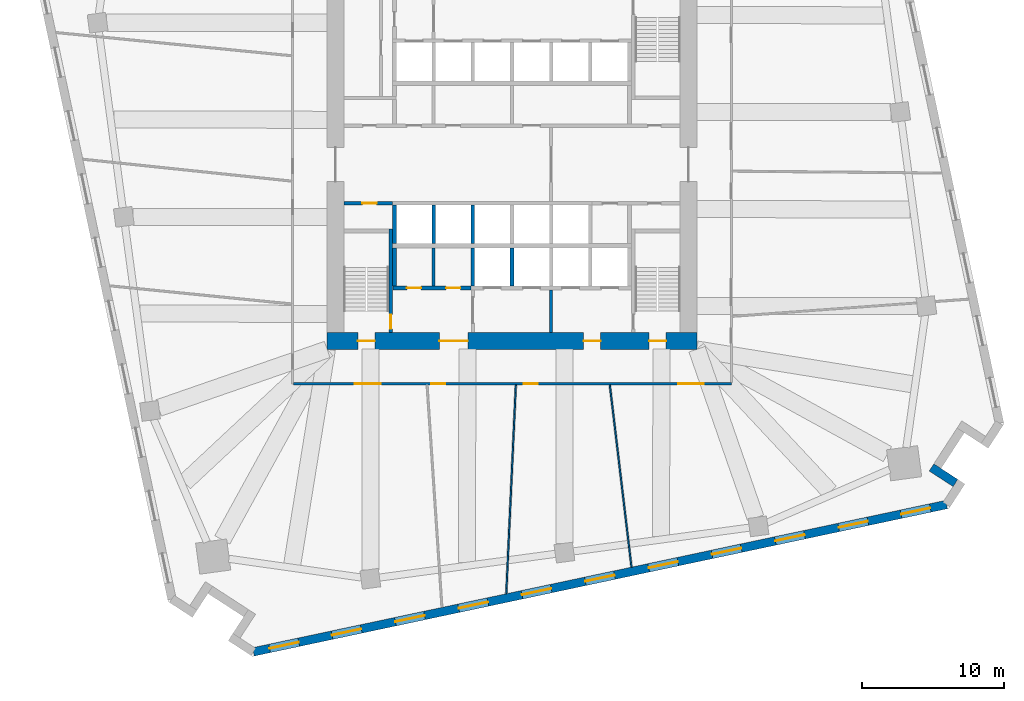
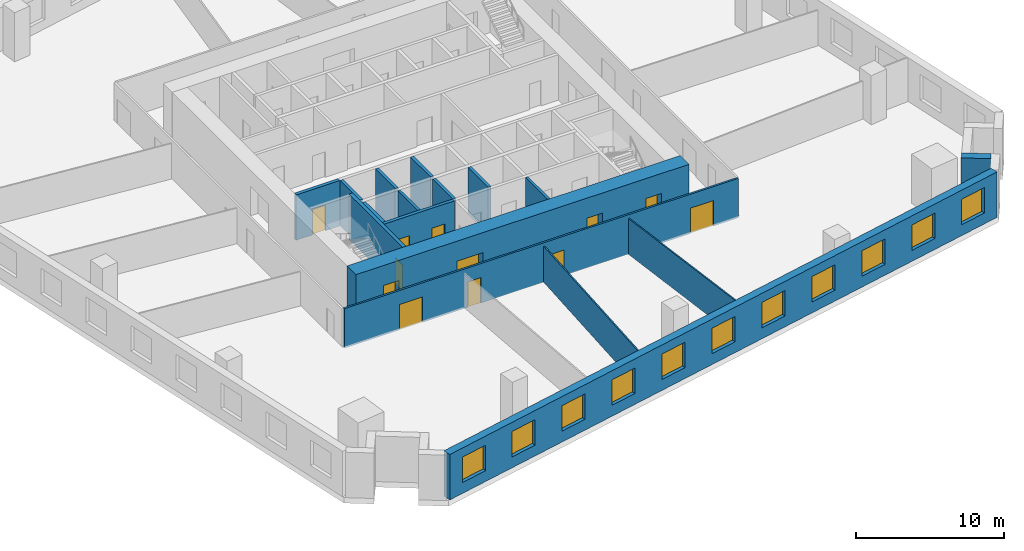
# One storey, part 4 of 10: 17 walls, 12 doors, 11 windows, 23 openings.
"""IFC4 building model written with IfcOpenShell, lengths in metres."""

from ifc_helpers import new_model, si_unit, direction, frame, frame_2d, origin, place, context, subcontext, project, spatial, rectangle, extrude, material, layer, layer_set, type_object, element, fill, save


model = new_model("IFC4")

# Units and contexts
model_context = context("Model", 3, precision=1e-05, world=origin(), true_north=direction((0.0, 1.0)))
body_context = subcontext(model_context, "Body", "Model", "MODEL_VIEW")
ifc_project = project(units=[si_unit("LENGTHUNIT", "METRE"), si_unit("AREAUNIT", "SQUARE_METRE"), si_unit("VOLUMEUNIT", "CUBIC_METRE"), si_unit("PLANEANGLEUNIT", "RADIAN"), si_unit("MASSUNIT", "GRAM", prefix="KILO")], contexts=[model_context])

# Site, building, storey
site_placement = place(None, origin())
site = spatial("IfcSite", under=ifc_project, at=site_placement, CompositionType="ELEMENT")
building_placement = place(site_placement, origin())
building = spatial("IfcBuilding", under=site, at=building_placement, Name="Dilmun Exchange Tower", CompositionType="ELEMENT")
storey_placement = place(building_placement, frame((0.0, 0.0, 72.300048828125)))
storey = spatial("IfcBuildingStorey", under=building, at=storey_placement, Name="L16", CompositionType="ELEMENT", Elevation=72.300048828125)

# Walls
ifc_material_1 = material(Name="Concrete C40/50", Category="concrete")
ifc_layer_1 = layer(ifc_material_1, 0.199951171875)
ifc_layer_set_1 = layer_set([ifc_layer_1], Name="Concrete C40/50")
wall_type_1 = type_object("IfcWallType", Name="Core partition wall 200", PredefinedType="PARTITIONING", material=ifc_layer_set_1)
wall_1_placement = place(storey_placement, frame((2.75, -11.794921875, 0.0), z_axis=(0.0, 0.0, 1.0), x_axis=(0.0, 1.0, 0.0)))
element("IfcWall", 1, at=wall_1_placement, inside=storey, type_object=wall_type_1, Name="L16 core partition wall 02", PredefinedType="PARTITIONING", context=body_context, shape_type="SweptSolid", body=[
    extrude(rectangle(XDim=2.989990234375, YDim=0.199951171875, at=frame_2d((1.4951171875, 0.0))), origin(), (0.0, 0.0, 1.0), 3.75),
])
wall_2_placement = place(storey_placement, frame((-5.5, -8.544921875, 0.0), z_axis=(0.0, 0.0, 1.0), x_axis=(0.0, 1.0, 0.0)))
element("IfcWall", 2, at=wall_2_placement, inside=storey, type_object=wall_type_1, Name="L16 core partition wall 05", PredefinedType="PARTITIONING", context=body_context, shape_type="SweptSolid", body=[
    extrude(rectangle(XDim=2.68994140625, YDim=0.199951171875, at=frame_2d((1.344970703125, 0.0))), origin(), (0.0, 0.0, 1.0), 3.75),
])

# Wall, openings, doors
ifc_layer_2 = layer(ifc_material_1, 0.25)
ifc_layer_set_2 = layer_set([ifc_layer_2], Name="Concrete C40/50")
wall_type_2 = type_object("IfcWallType", Name="Core partition wall 250", PredefinedType="PARTITIONING", material=ifc_layer_set_2)
wall_3_placement = place(storey_placement, frame((-8.3701171875, -8.675048828125, 0.0), z_axis=(0.0, 0.0, 1.0), x_axis=(1.0, 0.0, 0.0)))
wall_3 = element("IfcWall", 3, at=wall_3_placement, inside=storey, type_object=wall_type_2, Name="L16 core partition wall 03", PredefinedType="PARTITIONING", context=body_context, shape_type="SweptSolid", body=[
    extrude(rectangle(XDim=5.490234375, YDim=0.25, at=frame_2d((2.7451171875, 0.0))), origin(), (0.0, 0.0, 1.0), 3.75),
])
opening_1_placement = place(wall_3_placement, frame((0.9951171875, 0.0, 0.0)))
opening_1 = element("IfcOpeningElement", 4, at=opening_1_placement, cuts=wall_3, Name="Opening CD4", PredefinedType="OPENING", context=body_context, shape_type="SweptSolid", body=[
    extrude(rectangle(XDim=1.0, YDim=2.10009765625, at=frame_2d((0.5, 1.050048828125))), frame((0.0, 0.135009765625, 0.0), z_axis=(0.0, -1.0, 0.0), x_axis=(1.0, 0.0, 0.0)), (0.0, 0.0, 1.0), 0.27001953125),
])
opening_2_placement = place(wall_3_placement, frame((3.7451171875, 0.0, 0.0)))
opening_2 = element("IfcOpeningElement", 5, at=opening_2_placement, cuts=wall_3, Name="Opening CD4", PredefinedType="OPENING", context=body_context, shape_type="SweptSolid", body=[
    extrude(rectangle(XDim=1.0, YDim=2.10009765625, at=frame_2d((0.5, 1.050048828125))), frame((0.0, 0.135009765625, 0.0), z_axis=(0.0, -1.0, 0.0), x_axis=(1.0, 0.0, 0.0)), (0.0, 0.0, 1.0), 0.27001953125),
])
ifc_material_2 = material(Name="Fire-rated steel door set", Category="steel")
door_type_1 = type_object("IfcDoorType", Name="Core room door 1000x2100", OperationType="SINGLE_SWING_LEFT", PredefinedType="DOOR", material=ifc_material_2)
door_1_placement = place(opening_1_placement, origin())
door_1 = element("IfcDoor", 6, at=door_1_placement, inside=storey, type_object=door_type_1, Name="L16 door Male WC", OperationType="SINGLE_SWING_LEFT", OverallHeight=2.10009765625, OverallWidth=1.0, PredefinedType="DOOR", context=body_context, shape_type="SweptSolid", body=[
    extrude(rectangle(XDim=1.0, YDim=2.10009765625, at=frame_2d((0.5, 1.050048828125))), frame((0.0, 0.02490234375, 0.0), z_axis=(0.0, -1.0, 0.0), x_axis=(1.0, 0.0, 0.0)), (0.0, 0.0, 1.0), 0.050048828125),
])
fill(opening_1, door_1)
door_2_placement = place(opening_2_placement, origin())
door_2 = element("IfcDoor", 7, at=door_2_placement, inside=storey, type_object=door_type_1, Name="L16 door Female WC", OperationType="SINGLE_SWING_LEFT", OverallHeight=2.10009765625, OverallWidth=1.0, PredefinedType="DOOR", context=body_context, shape_type="SweptSolid", body=[
    extrude(rectangle(XDim=1.0, YDim=2.10009765625, at=frame_2d((0.5, 1.050048828125))), frame((0.0, 0.02490234375, 0.0), z_axis=(0.0, -1.0, 0.0), x_axis=(1.0, 0.0, 0.0)), (0.0, 0.0, 1.0), 0.050048828125),
])
fill(opening_2, door_2)

# Wall
wall_4_placement = place(storey_placement, frame((-8.25, -8.544921875, 0.0), z_axis=(0.0, 0.0, 1.0), x_axis=(0.0, 1.0, 0.0)))
element("IfcWall", 8, at=wall_4_placement, inside=storey, type_object=wall_type_2, Name="L16 core partition wall 04", PredefinedType="PARTITIONING", context=body_context, shape_type="SweptSolid", body=[
    extrude(rectangle(XDim=2.68994140625, YDim=0.25, at=frame_2d((1.344970703125, 0.0))), origin(), (0.0, 0.0, 1.0), 3.75),
])

# Wall, opening, door
wall_5_placement = place(storey_placement, frame((-11.794921875, -2.72509765625, 0.0), z_axis=(0.0, 0.0, 1.0), x_axis=(1.0, 0.0, 0.0)))
wall_5 = element("IfcWall", 9, at=wall_5_placement, inside=storey, type_object=wall_type_2, Name="L16 core partition wall 07", PredefinedType="PARTITIONING", context=body_context, shape_type="SweptSolid", body=[
    extrude(rectangle(XDim=3.4150390625, YDim=0.25, at=frame_2d((1.70751953125, 0.0))), origin(), (0.0, 0.0, 1.0), 3.75),
])
opening_3_placement = place(wall_5_placement, frame((1.294921875, 0.0, 0.0)))
opening_3 = element("IfcOpeningElement", 10, at=opening_3_placement, cuts=wall_5, Name="Opening CD4", PredefinedType="OPENING", context=body_context, shape_type="SweptSolid", body=[
    extrude(rectangle(XDim=1.0, YDim=2.10009765625, at=frame_2d((0.5, 1.050048828125))), frame((0.0, 0.135009765625, 0.0), z_axis=(0.0, -1.0, 0.0), x_axis=(1.0, 0.0, 0.0)), (0.0, 0.0, 1.0), 0.27001953125),
])
door_3_placement = place(opening_3_placement, origin())
door_3 = element("IfcDoor", 11, at=door_3_placement, inside=storey, type_object=door_type_1, Name="L16 door Accessible WC", OperationType="SINGLE_SWING_LEFT", OverallHeight=2.10009765625, OverallWidth=1.0, PredefinedType="DOOR", context=body_context, shape_type="SweptSolid", body=[
    extrude(rectangle(XDim=1.0, YDim=2.10009765625, at=frame_2d((0.5, 1.050048828125))), frame((0.0, 0.02490234375, 0.0), z_axis=(0.0, -1.0, 0.0), x_axis=(1.0, 0.0, 0.0)), (0.0, 0.0, 1.0), 0.050048828125),
])
fill(opening_3, door_3)

# Wall, openings, doors
ifc_material_3 = material(Name="Concrete C80/95", Category="concrete")
ifc_layer_3 = layer(ifc_material_3, 1.199951171875)
ifc_layer_set_3 = layer_set([ifc_layer_3], Name="Concrete C80/95")
wall_type_3 = type_object("IfcWallType", Name="Core shear wall 1200 Concrete C80/95", PredefinedType="SHEAR", material=ifc_layer_set_3)
wall_6_placement = place(storey_placement, frame((-13.0, -12.39990234375, 0.0), z_axis=(0.0, 0.0, 1.0), x_axis=(1.0, 0.0, 0.0)))
wall_6 = element("IfcWall", 12, at=wall_6_placement, inside=storey, type_object=wall_type_3, Name="L16 core shear wall S", PredefinedType="SHEAR", context=body_context, shape_type="SweptSolid", body=[
    extrude(rectangle(XDim=26.0, YDim=1.199951171875, at=frame_2d((13.0, 0.0))), origin(), (0.0, 0.0, 1.0), 3.75),
])
opening_4_placement = place(wall_6_placement, frame((7.89990234375, 0.0, 0.0)))
opening_4 = element("IfcOpeningElement", 13, at=opening_4_placement, cuts=wall_6, Name="Opening CD2", PredefinedType="OPENING", context=body_context, shape_type="SweptSolid", body=[
    extrude(rectangle(XDim=2.0, YDim=2.10009765625, at=frame_2d((1.0, 1.050048828125))), frame((0.0, 0.60986328125, 0.0), z_axis=(0.0, -1.0, 0.0), x_axis=(1.0, 0.0, 0.0)), (0.0, 0.0, 1.0), 1.219970703125),
])
opening_5_placement = place(wall_6_placement, frame((18.02490234375, 0.0, 0.0)))
opening_5 = element("IfcOpeningElement", 14, at=opening_5_placement, cuts=wall_6, Name="Opening CD3", PredefinedType="OPENING", context=body_context, shape_type="SweptSolid", body=[
    extrude(rectangle(XDim=1.199951171875, YDim=2.10009765625, at=frame_2d((0.60009765625, 1.050048828125))), frame((0.0, 0.60986328125, 0.0), z_axis=(0.0, -1.0, 0.0), x_axis=(1.0, 0.0, 0.0)), (0.0, 0.0, 1.0), 1.219970703125),
])
opening_6_placement = place(wall_6_placement, frame((2.175048828125, 0.0, 0.0)))
opening_6 = element("IfcOpeningElement", 15, at=opening_6_placement, cuts=wall_6, Name="Opening CD3", PredefinedType="OPENING", context=body_context, shape_type="SweptSolid", body=[
    extrude(rectangle(XDim=1.199951171875, YDim=2.10009765625, at=frame_2d((0.60009765625, 1.050048828125))), frame((0.0, 0.60986328125, 0.0), z_axis=(0.0, -1.0, 0.0), x_axis=(1.0, 0.0, 0.0)), (0.0, 0.0, 1.0), 1.219970703125),
])
opening_7_placement = place(wall_6_placement, frame((22.625, 0.0, 0.0)))
opening_7 = element("IfcOpeningElement", 16, at=opening_7_placement, cuts=wall_6, Name="Opening CD3", PredefinedType="OPENING", context=body_context, shape_type="SweptSolid", body=[
    extrude(rectangle(XDim=1.199951171875, YDim=2.10009765625, at=frame_2d((0.60009765625, 1.050048828125))), frame((0.0, 0.60986328125, 0.0), z_axis=(0.0, -1.0, 0.0), x_axis=(1.0, 0.0, 0.0)), (0.0, 0.0, 1.0), 1.219970703125),
])
door_type_2 = type_object("IfcDoorType", Name="Core service door 2000x2100", OperationType="DOUBLE_DOOR_DOUBLE_SWING", PredefinedType="DOOR", material=ifc_material_2)
door_4_placement = place(opening_4_placement, origin())
door_4 = element("IfcDoor", 17, at=door_4_placement, inside=storey, type_object=door_type_2, Name="L16 door South service lobby", OperationType="SINGLE_SWING_LEFT", OverallHeight=2.10009765625, OverallWidth=2.0, PredefinedType="DOOR", context=body_context, shape_type="SweptSolid", body=[
    extrude(rectangle(XDim=2.0, YDim=2.10009765625, at=frame_2d((1.0, 1.050048828125))), frame((0.0, 0.02490234375, 0.0), z_axis=(0.0, -1.0, 0.0), x_axis=(1.0, 0.0, 0.0)), (0.0, 0.0, 1.0), 0.050048828125),
])
fill(opening_4, door_4)
door_type_3 = type_object("IfcDoorType", Name="Stair exit door 1200x2100", OperationType="SINGLE_SWING_LEFT", PredefinedType="DOOR", material=ifc_material_2)
door_5_placement = place(opening_5_placement, origin())
door_5 = element("IfcDoor", 18, at=door_5_placement, inside=storey, type_object=door_type_3, Name="L16 door Fire-fighting lobby", OperationType="SINGLE_SWING_LEFT", OverallHeight=2.10009765625, OverallWidth=1.199951171875, PredefinedType="DOOR", context=body_context, shape_type="SweptSolid", body=[
    extrude(rectangle(XDim=1.199951171875, YDim=2.10009765625, at=frame_2d((0.60009765625, 1.050048828125))), frame((0.0, 0.02490234375, 0.0), z_axis=(0.0, -1.0, 0.0), x_axis=(1.0, 0.0, 0.0)), (0.0, 0.0, 1.0), 0.050048828125),
])
fill(opening_5, door_5)
door_6_placement = place(opening_6_placement, origin())
door_6 = element("IfcDoor", 19, at=door_6_placement, inside=storey, type_object=door_type_3, Name="L16 door Stair ST2", OperationType="SINGLE_SWING_LEFT", OverallHeight=2.10009765625, OverallWidth=1.199951171875, PredefinedType="DOOR", context=body_context, shape_type="SweptSolid", body=[
    extrude(rectangle(XDim=1.199951171875, YDim=2.10009765625, at=frame_2d((0.60009765625, 1.050048828125))), frame((0.0, 0.02490234375, 0.0), z_axis=(0.0, -1.0, 0.0), x_axis=(1.0, 0.0, 0.0)), (0.0, 0.0, 1.0), 0.050048828125),
])
fill(opening_6, door_6)
door_7_placement = place(opening_7_placement, origin())
door_7 = element("IfcDoor", 20, at=door_7_placement, inside=storey, type_object=door_type_3, Name="L16 door Stair ST3", OperationType="SINGLE_SWING_LEFT", OverallHeight=2.10009765625, OverallWidth=1.199951171875, PredefinedType="DOOR", context=body_context, shape_type="SweptSolid", body=[
    extrude(rectangle(XDim=1.199951171875, YDim=2.10009765625, at=frame_2d((0.60009765625, 1.050048828125))), frame((0.0, 0.02490234375, 0.0), z_axis=(0.0, -1.0, 0.0), x_axis=(1.0, 0.0, 0.0)), (0.0, 0.0, 1.0), 0.050048828125),
])
fill(opening_7, door_7)

ifc_material_4 = material(Name="Corridor wall 150")
ifc_layer_4 = layer(ifc_material_4, 0.14990234375)
ifc_layer_set_4 = layer_set([ifc_layer_4], Name="Corridor wall 150")
wall_type_4 = type_object("IfcWallType", Name="Corridor wall 150", PredefinedType="PARTITIONING", material=ifc_layer_set_4)
wall_7_placement = place(storey_placement, frame((-15.324951171875, -15.39990234375, 0.0), z_axis=(0.0, 0.0, 1.0), x_axis=(1.0, 0.0, 0.0)))
wall_7 = element("IfcWall", 21, at=wall_7_placement, inside=storey, type_object=wall_type_4, Name="Corridor wall", PredefinedType="PARTITIONING", context=body_context, shape_type="SweptSolid", body=[
    extrude(rectangle(XDim=30.724853515625, YDim=0.14990234375, at=frame_2d((15.3623046875, 0.0))), origin(), (0.0, 0.0, 1.0), 3.25),
])
opening_8_placement = place(wall_7_placement, frame((4.300048828125, 0.0, 0.0)))
opening_8 = element("IfcOpeningElement", 22, at=opening_8_placement, cuts=wall_7, Name="Opening TF15-D05", PredefinedType="OPENING", context=body_context, shape_type="SweptSolid", body=[
    extrude(rectangle(XDim=1.800048828125, YDim=2.10009765625, at=frame_2d((0.89990234375, 1.050048828125))), frame((0.0, 0.0849609375, 0.0), z_axis=(0.0, -1.0, 0.0), x_axis=(1.0, 0.0, 0.0)), (0.0, 0.0, 1.0), 0.169921875),
])
opening_9_placement = place(wall_7_placement, frame((9.656005859375, 0.0, 0.0)))
opening_9 = element("IfcOpeningElement", 23, at=opening_9_placement, cuts=wall_7, Name="Opening TF15-D07", PredefinedType="OPENING", context=body_context, shape_type="SweptSolid", body=[
    extrude(rectangle(XDim=1.0, YDim=2.10009765625, at=frame_2d((0.5, 1.050048828125))), frame((0.0, 0.0849609375, 0.0), z_axis=(0.0, -1.0, 0.0), x_axis=(1.0, 0.0, 0.0)), (0.0, 0.0, 1.0), 0.169921875),
])
opening_10_placement = place(wall_7_placement, frame((16.147216796875, 0.0, 0.0)))
opening_10 = element("IfcOpeningElement", 24, at=opening_10_placement, cuts=wall_7, Name="Opening TF15-D09", PredefinedType="OPENING", context=body_context, shape_type="SweptSolid", body=[
    extrude(rectangle(XDim=1.0, YDim=2.10009765625, at=frame_2d((0.5, 1.050048828125))), frame((0.0, 0.0849609375, 0.0), z_axis=(0.0, -1.0, 0.0), x_axis=(1.0, 0.0, 0.0)), (0.0, 0.0, 1.0), 0.169921875),
])
opening_11_placement = place(wall_7_placement, frame((26.982177734375, 0.0, 0.0)))
opening_11 = element("IfcOpeningElement", 25, at=opening_11_placement, cuts=wall_7, Name="Opening TF15-D13", PredefinedType="OPENING", context=body_context, shape_type="SweptSolid", body=[
    extrude(rectangle(XDim=1.800048828125, YDim=2.10009765625, at=frame_2d((0.89990234375, 1.050048828125))), frame((0.0, 0.0849609375, 0.0), z_axis=(0.0, -1.0, 0.0), x_axis=(1.0, 0.0, 0.0)), (0.0, 0.0, 1.0), 0.169921875),
])
ifc_material_5 = material(Name="Fire door 1000 x 2100")
door_type_4 = type_object("IfcDoorType", Name="Fire door 1000 x 2100", OperationType="NOTDEFINED", PredefinedType="DOOR", material=ifc_material_5)
door_8_placement = place(opening_9_placement, frame((1.0, 0.0, 0.0), z_axis=(0.0, 0.0, 1.0), x_axis=(-1.0, 0.0, 0.0)))
door_8 = element("IfcDoor", 26, at=door_8_placement, inside=storey, type_object=door_type_4, Name="Door TF15-D07", OperationType="SINGLE_SWING_LEFT", OverallHeight=2.10009765625, OverallWidth=1.0, PredefinedType="DOOR", context=body_context, shape_type="SweptSolid", body=[
    extrude(rectangle(XDim=1.0, YDim=2.10009765625, at=frame_2d((0.5, 1.050048828125))), frame((0.0, 0.02490234375, 0.0), z_axis=(0.0, -1.0, 0.0), x_axis=(1.0, 0.0, 0.0)), (0.0, 0.0, 1.0), 0.050048828125),
])
fill(opening_9, door_8)
door_9_placement = place(opening_10_placement, frame((1.0, 0.0, 0.0), z_axis=(0.0, 0.0, 1.0), x_axis=(-1.0, 0.0, 0.0)))
door_9 = element("IfcDoor", 27, at=door_9_placement, inside=storey, type_object=door_type_4, Name="Door TF15-D09", OperationType="SINGLE_SWING_LEFT", OverallHeight=2.10009765625, OverallWidth=1.0, PredefinedType="DOOR", context=body_context, shape_type="SweptSolid", body=[
    extrude(rectangle(XDim=1.0, YDim=2.10009765625, at=frame_2d((0.5, 1.050048828125))), frame((0.0, 0.02490234375, 0.0), z_axis=(0.0, -1.0, 0.0), x_axis=(1.0, 0.0, 0.0)), (0.0, 0.0, 1.0), 0.050048828125),
])
fill(opening_10, door_9)
ifc_material_6 = material(Name="Fire door pair 1800 x 2100")
door_type_5 = type_object("IfcDoorType", Name="Fire door pair 1800 x 2100", OperationType="NOTDEFINED", PredefinedType="DOOR", material=ifc_material_6)
door_10_placement = place(opening_8_placement, frame((1.800048828125, 0.0, 0.0), z_axis=(0.0, 0.0, 1.0), x_axis=(-1.0, 0.0, 0.0)))
door_10 = element("IfcDoor", 28, at=door_10_placement, inside=storey, type_object=door_type_5, Name="Door TF15-D05", OperationType="DOUBLE_DOOR_SINGLE_SWING", OverallHeight=2.10009765625, OverallWidth=1.800048828125, PredefinedType="DOOR", context=body_context, shape_type="SweptSolid", body=[
    extrude(rectangle(XDim=1.800048828125, YDim=2.10009765625, at=frame_2d((0.89990234375, 1.050048828125))), frame((0.0, 0.02490234375, 0.0), z_axis=(0.0, -1.0, 0.0), x_axis=(1.0, 0.0, 0.0)), (0.0, 0.0, 1.0), 0.050048828125),
])
fill(opening_8, door_10)
door_11_placement = place(opening_11_placement, frame((1.800048828125, 0.0, 0.0), z_axis=(0.0, 0.0, 1.0), x_axis=(-1.0, 0.0, 0.0)))
door_11 = element("IfcDoor", 29, at=door_11_placement, inside=storey, type_object=door_type_5, Name="Door TF15-D13", OperationType="DOUBLE_DOOR_SINGLE_SWING", OverallHeight=2.10009765625, OverallWidth=1.800048828125, PredefinedType="DOOR", context=body_context, shape_type="SweptSolid", body=[
    extrude(rectangle(XDim=1.800048828125, YDim=2.10009765625, at=frame_2d((0.89990234375, 1.050048828125))), frame((0.0, 0.02490234375, 0.0), z_axis=(0.0, -1.0, 0.0), x_axis=(1.0, 0.0, 0.0)), (0.0, 0.0, 1.0), 0.050048828125),
])
fill(opening_11, door_11)

# Walls
ifc_layer_5 = layer(ifc_material_1, 0.25)
ifc_layer_set_5 = layer_set([ifc_layer_5], Name="Concrete C40/50")
wall_type_5 = type_object("IfcWallType", Name="Lift shaft wall 250", PredefinedType="SOLIDWALL", material=ifc_layer_set_5)
for number, where, z_axis, x_axis, name in (
    (30, (-8.25, -5.550048828125, 0.0), (0.0, 0.0, 1.0), (0.0, 1.0, 0.0), "L16 lift shaft divider S10"),
    (31, (-5.5, -5.550048828125, 0.0), (0.0, 0.0, 1.0), (0.0, 1.0, 0.0), "L16 lift shaft divider S11"),
    (32, (-2.75, -5.550048828125, 0.0), (0.0, 0.0, 1.0), (0.0, 1.0, 0.0), "L16 lift shaft divider S12"),
    (33, (-2.75, -8.550048828125, 0.0), (0.0, 0.0, 1.0), (0.0, 1.0, 0.0), "L16 lift shaft divider S22"),
    (34, (0.0, -8.550048828125, 0.0), (0.0, 0.0, 1.0), (0.0, 1.0, 0.0), "L16 lift shaft divider S23"),
):
    element("IfcWall", number, at=place(storey_placement, frame(where, z_axis=z_axis, x_axis=x_axis)), inside=storey, type_object=wall_type_5, Name=name, PredefinedType="SOLIDWALL", context=body_context, shape_type="SweptSolid", body=[
        extrude(rectangle(XDim=2.699951171875, YDim=0.25, at=frame_2d((1.35009765625, 0.0))), origin(), (0.0, 0.0, 1.0), 3.75),
    ])
ifc_material_7 = material(Name="Partition 100")
ifc_layer_6 = layer(ifc_material_7, 0.10009765625)
ifc_layer_set_6 = layer_set([ifc_layer_6], Name="Partition 100")
wall_type_6 = type_object("IfcWallType", Name="Partition 100", PredefinedType="PARTITIONING", material=ifc_layer_set_6)
wall_8_placement = place(storey_placement, frame((-0.4033203125, -30.140380859375, 0.0), z_axis=(0.0, 0.0, 1.0), x_axis=(0.045905600383, 0.998945782239, 0.0)))
element("IfcWall", 35, at=wall_8_placement, inside=storey, type_object=wall_type_6, Name="Partition", PredefinedType="PARTITIONING", context=body_context, shape_type="SweptSolid", body=[
    extrude(rectangle(XDim=14.678466796875, YDim=0.10009765625, at=frame_2d((7.33935546875, 0.0))), origin(), (0.0, 0.0, 1.0), 2.949951171875),
])
wall_9_placement = place(storey_placement, frame((6.86669921875, -15.48095703125, 0.0), z_axis=(0.0, 0.0, 1.0), x_axis=(0.118214669681, -0.992988062301, 0.0)))
element("IfcWall", 36, at=wall_9_placement, inside=storey, type_object=wall_type_6, Name="Partition", PredefinedType="PARTITIONING", context=body_context, shape_type="SweptSolid", body=[
    extrude(rectangle(XDim=12.880859375, YDim=0.10009765625, at=frame_2d((6.4404296875, 0.0))), origin(), (0.0, 0.0, 1.0), 2.949951171875),
])

# Wall, openings, windows
ifc_material_8 = material(Name="Precast concrete C50/60", Category="concrete")
ifc_layer_7 = layer(ifc_material_8, 0.60009765625)
ifc_layer_set_7 = layer_set([ifc_layer_7], Name="Precast concrete C50/60")
wall_type_7 = type_object("IfcWallType", Name="Precast stone-clad wall 600", PredefinedType="STANDARD", material=ifc_layer_set_7)
wall_10_placement = place(storey_placement, frame((-18.1572265625, -34.222900390625, 0.0), z_axis=(0.0, 0.0, 1.0), x_axis=(0.97814728825, 0.207913160934, 0.0)))
wall_10 = element("IfcWall", 37, at=wall_10_placement, inside=storey, type_object=wall_type_7, Name="Facade wall L16-15", PredefinedType="STANDARD", context=body_context, shape_type="SweptSolid", body=[
    extrude(rectangle(XDim=49.75146484375, YDim=0.60009765625, at=frame_2d((24.875732421875, 0.0))), origin(), (0.0, 0.0, 1.0), 3.75),
])
opening_12_placement = place(wall_10_placement, frame((1.16064453125, 0.0, 0.89990234375)))
opening_12 = element("IfcOpeningElement", 38, at=opening_12_placement, cuts=wall_10, Name="Opening W210-210", PredefinedType="OPENING", context=body_context, shape_type="SweptSolid", body=[
    extrude(rectangle(XDim=2.10009765625, YDim=2.10009765625, at=frame_2d((1.050048828125, 1.050048828125))), frame((0.0, 0.31005859375, 0.0), z_axis=(0.0, -1.0, 0.0), x_axis=(1.0, 0.0, 0.0)), (0.0, 0.0, 1.0), 0.6201171875),
])
opening_13_placement = place(wall_10_placement, frame((5.643798828125, 0.0, 0.89990234375)))
opening_13 = element("IfcOpeningElement", 39, at=opening_13_placement, cuts=wall_10, Name="Opening W210-210", PredefinedType="OPENING", context=body_context, shape_type="SweptSolid", body=[
    extrude(rectangle(XDim=2.10009765625, YDim=2.10009765625, at=frame_2d((1.050048828125, 1.050048828125))), frame((0.0, 0.31005859375, 0.0), z_axis=(0.0, -1.0, 0.0), x_axis=(1.0, 0.0, 0.0)), (0.0, 0.0, 1.0), 0.6201171875),
])
opening_14_placement = place(wall_10_placement, frame((10.189453125, 0.0, 0.89990234375)))
opening_14 = element("IfcOpeningElement", 40, at=opening_14_placement, cuts=wall_10, Name="Opening W210-210", PredefinedType="OPENING", context=body_context, shape_type="SweptSolid", body=[
    extrude(rectangle(XDim=2.10009765625, YDim=2.10009765625, at=frame_2d((1.050048828125, 1.050048828125))), frame((0.0, 0.31005859375, 0.0), z_axis=(0.0, -1.0, 0.0), x_axis=(1.0, 0.0, 0.0)), (0.0, 0.0, 1.0), 0.6201171875),
])
opening_15_placement = place(wall_10_placement, frame((14.73486328125, 0.0, 0.89990234375)))
opening_15 = element("IfcOpeningElement", 41, at=opening_15_placement, cuts=wall_10, Name="Opening W210-210", PredefinedType="OPENING", context=body_context, shape_type="SweptSolid", body=[
    extrude(rectangle(XDim=2.10009765625, YDim=2.10009765625, at=frame_2d((1.050048828125, 1.050048828125))), frame((0.0, 0.31005859375, 0.0), z_axis=(0.0, -1.0, 0.0), x_axis=(1.0, 0.0, 0.0)), (0.0, 0.0, 1.0), 0.6201171875),
])
opening_16_placement = place(wall_10_placement, frame((19.2802734375, 0.0, 0.89990234375)))
opening_16 = element("IfcOpeningElement", 42, at=opening_16_placement, cuts=wall_10, Name="Opening W210-210", PredefinedType="OPENING", context=body_context, shape_type="SweptSolid", body=[
    extrude(rectangle(XDim=2.10009765625, YDim=2.10009765625, at=frame_2d((1.050048828125, 1.050048828125))), frame((0.0, 0.31005859375, 0.0), z_axis=(0.0, -1.0, 0.0), x_axis=(1.0, 0.0, 0.0)), (0.0, 0.0, 1.0), 0.6201171875),
])
opening_17_placement = place(wall_10_placement, frame((23.82568359375, 0.0, 0.89990234375)))
opening_17 = element("IfcOpeningElement", 43, at=opening_17_placement, cuts=wall_10, Name="Opening W210-210", PredefinedType="OPENING", context=body_context, shape_type="SweptSolid", body=[
    extrude(rectangle(XDim=2.10009765625, YDim=2.10009765625, at=frame_2d((1.050048828125, 1.050048828125))), frame((0.0, 0.31005859375, 0.0), z_axis=(0.0, -1.0, 0.0), x_axis=(1.0, 0.0, 0.0)), (0.0, 0.0, 1.0), 0.6201171875),
])
opening_18_placement = place(wall_10_placement, frame((28.37109375, 0.0, 0.89990234375)))
opening_18 = element("IfcOpeningElement", 44, at=opening_18_placement, cuts=wall_10, Name="Opening W210-210", PredefinedType="OPENING", context=body_context, shape_type="SweptSolid", body=[
    extrude(rectangle(XDim=2.10009765625, YDim=2.10009765625, at=frame_2d((1.050048828125, 1.050048828125))), frame((0.0, 0.31005859375, 0.0), z_axis=(0.0, -1.0, 0.0), x_axis=(1.0, 0.0, 0.0)), (0.0, 0.0, 1.0), 0.6201171875),
])
opening_19_placement = place(wall_10_placement, frame((32.91650390625, 0.0, 0.89990234375)))
opening_19 = element("IfcOpeningElement", 45, at=opening_19_placement, cuts=wall_10, Name="Opening W210-210", PredefinedType="OPENING", context=body_context, shape_type="SweptSolid", body=[
    extrude(rectangle(XDim=2.10009765625, YDim=2.10009765625, at=frame_2d((1.050048828125, 1.050048828125))), frame((0.0, 0.31005859375, 0.0), z_axis=(0.0, -1.0, 0.0), x_axis=(1.0, 0.0, 0.0)), (0.0, 0.0, 1.0), 0.6201171875),
])
opening_20_placement = place(wall_10_placement, frame((37.462158203125, 0.0, 0.89990234375)))
opening_20 = element("IfcOpeningElement", 46, at=opening_20_placement, cuts=wall_10, Name="Opening W210-210", PredefinedType="OPENING", context=body_context, shape_type="SweptSolid", body=[
    extrude(rectangle(XDim=2.10009765625, YDim=2.10009765625, at=frame_2d((1.050048828125, 1.050048828125))), frame((0.0, 0.31005859375, 0.0), z_axis=(0.0, -1.0, 0.0), x_axis=(1.0, 0.0, 0.0)), (0.0, 0.0, 1.0), 0.6201171875),
])
opening_21_placement = place(wall_10_placement, frame((42.007568359375, 0.0, 0.89990234375)))
opening_21 = element("IfcOpeningElement", 47, at=opening_21_placement, cuts=wall_10, Name="Opening W210-210", PredefinedType="OPENING", context=body_context, shape_type="SweptSolid", body=[
    extrude(rectangle(XDim=2.10009765625, YDim=2.10009765625, at=frame_2d((1.050048828125, 1.050048828125))), frame((0.0, 0.31005859375, 0.0), z_axis=(0.0, -1.0, 0.0), x_axis=(1.0, 0.0, 0.0)), (0.0, 0.0, 1.0), 0.6201171875),
])
opening_22_placement = place(wall_10_placement, frame((46.490966796875, 0.0, 0.89990234375)))
opening_22 = element("IfcOpeningElement", 48, at=opening_22_placement, cuts=wall_10, Name="Opening W210-210", PredefinedType="OPENING", context=body_context, shape_type="SweptSolid", body=[
    extrude(rectangle(XDim=2.10009765625, YDim=2.10009765625, at=frame_2d((1.050048828125, 1.050048828125))), frame((0.0, 0.31005859375, 0.0), z_axis=(0.0, -1.0, 0.0), x_axis=(1.0, 0.0, 0.0)), (0.0, 0.0, 1.0), 0.6201171875),
])
ifc_material_9 = material(Name="Clear low-emissivity glass in aluminium frame", Category="aluminium")
window_type = type_object("IfcWindowType", Name="Punched window 2100 x 2100", PartitioningType="DOUBLE_PANEL_VERTICAL", PredefinedType="WINDOW", material=ifc_material_9)
window_1_placement = place(opening_12_placement, origin())
window_1 = element("IfcWindow", 49, at=window_1_placement, inside=storey, type_object=window_type, Name="Window 16.1", OverallHeight=2.10009765625, OverallWidth=2.10009765625, PartitioningType="SINGLE_PANEL", PredefinedType="WINDOW", context=body_context, shape_type="SweptSolid", body=[
    extrude(rectangle(XDim=2.10009765625, YDim=2.10009765625, at=frame_2d((1.050048828125, 1.050048828125))), frame((0.0, 0.030029296875, 0.0), z_axis=(0.0, -1.0, 0.0), x_axis=(1.0, 0.0, 0.0)), (0.0, 0.0, 1.0), 0.06005859375),
])
fill(opening_12, window_1)
window_2_placement = place(opening_13_placement, origin())
window_2 = element("IfcWindow", 50, at=window_2_placement, inside=storey, type_object=window_type, Name="Window 16.2", OverallHeight=2.10009765625, OverallWidth=2.10009765625, PartitioningType="SINGLE_PANEL", PredefinedType="WINDOW", context=body_context, shape_type="SweptSolid", body=[
    extrude(rectangle(XDim=2.10009765625, YDim=2.10009765625, at=frame_2d((1.050048828125, 1.050048828125))), frame((0.0, 0.030029296875, 0.0), z_axis=(0.0, -1.0, 0.0), x_axis=(1.0, 0.0, 0.0)), (0.0, 0.0, 1.0), 0.06005859375),
])
fill(opening_13, window_2)
window_3_placement = place(opening_14_placement, origin())
window_3 = element("IfcWindow", 51, at=window_3_placement, inside=storey, type_object=window_type, Name="Window 16.3", OverallHeight=2.10009765625, OverallWidth=2.10009765625, PartitioningType="SINGLE_PANEL", PredefinedType="WINDOW", context=body_context, shape_type="SweptSolid", body=[
    extrude(rectangle(XDim=2.10009765625, YDim=2.10009765625, at=frame_2d((1.050048828125, 1.050048828125))), frame((0.0, 0.030029296875, 0.0), z_axis=(0.0, -1.0, 0.0), x_axis=(1.0, 0.0, 0.0)), (0.0, 0.0, 1.0), 0.06005859375),
])
fill(opening_14, window_3)
window_4_placement = place(opening_15_placement, origin())
window_4 = element("IfcWindow", 52, at=window_4_placement, inside=storey, type_object=window_type, Name="Window 16.4", OverallHeight=2.10009765625, OverallWidth=2.10009765625, PartitioningType="SINGLE_PANEL", PredefinedType="WINDOW", context=body_context, shape_type="SweptSolid", body=[
    extrude(rectangle(XDim=2.10009765625, YDim=2.10009765625, at=frame_2d((1.050048828125, 1.050048828125))), frame((0.0, 0.030029296875, 0.0), z_axis=(0.0, -1.0, 0.0), x_axis=(1.0, 0.0, 0.0)), (0.0, 0.0, 1.0), 0.06005859375),
])
fill(opening_15, window_4)
window_5_placement = place(opening_16_placement, origin())
window_5 = element("IfcWindow", 53, at=window_5_placement, inside=storey, type_object=window_type, Name="Window 16.5", OverallHeight=2.10009765625, OverallWidth=2.10009765625, PartitioningType="SINGLE_PANEL", PredefinedType="WINDOW", context=body_context, shape_type="SweptSolid", body=[
    extrude(rectangle(XDim=2.10009765625, YDim=2.10009765625, at=frame_2d((1.050048828125, 1.050048828125))), frame((0.0, 0.030029296875, 0.0), z_axis=(0.0, -1.0, 0.0), x_axis=(1.0, 0.0, 0.0)), (0.0, 0.0, 1.0), 0.06005859375),
])
fill(opening_16, window_5)
window_6_placement = place(opening_17_placement, origin())
window_6 = element("IfcWindow", 54, at=window_6_placement, inside=storey, type_object=window_type, Name="Window 16.6", OverallHeight=2.10009765625, OverallWidth=2.10009765625, PartitioningType="SINGLE_PANEL", PredefinedType="WINDOW", context=body_context, shape_type="SweptSolid", body=[
    extrude(rectangle(XDim=2.10009765625, YDim=2.10009765625, at=frame_2d((1.050048828125, 1.050048828125))), frame((0.0, 0.030029296875, 0.0), z_axis=(0.0, -1.0, 0.0), x_axis=(1.0, 0.0, 0.0)), (0.0, 0.0, 1.0), 0.06005859375),
])
fill(opening_17, window_6)
window_7_placement = place(opening_18_placement, origin())
window_7 = element("IfcWindow", 55, at=window_7_placement, inside=storey, type_object=window_type, Name="Window 16.7", OverallHeight=2.10009765625, OverallWidth=2.10009765625, PartitioningType="SINGLE_PANEL", PredefinedType="WINDOW", context=body_context, shape_type="SweptSolid", body=[
    extrude(rectangle(XDim=2.10009765625, YDim=2.10009765625, at=frame_2d((1.050048828125, 1.050048828125))), frame((0.0, 0.030029296875, 0.0), z_axis=(0.0, -1.0, 0.0), x_axis=(1.0, 0.0, 0.0)), (0.0, 0.0, 1.0), 0.06005859375),
])
fill(opening_18, window_7)
window_8_placement = place(opening_19_placement, origin())
window_8 = element("IfcWindow", 56, at=window_8_placement, inside=storey, type_object=window_type, Name="Window 16.8", OverallHeight=2.10009765625, OverallWidth=2.10009765625, PartitioningType="SINGLE_PANEL", PredefinedType="WINDOW", context=body_context, shape_type="SweptSolid", body=[
    extrude(rectangle(XDim=2.10009765625, YDim=2.10009765625, at=frame_2d((1.050048828125, 1.050048828125))), frame((0.0, 0.030029296875, 0.0), z_axis=(0.0, -1.0, 0.0), x_axis=(1.0, 0.0, 0.0)), (0.0, 0.0, 1.0), 0.06005859375),
])
fill(opening_19, window_8)
window_9_placement = place(opening_20_placement, origin())
window_9 = element("IfcWindow", 57, at=window_9_placement, inside=storey, type_object=window_type, Name="Window 16.9", OverallHeight=2.10009765625, OverallWidth=2.10009765625, PartitioningType="SINGLE_PANEL", PredefinedType="WINDOW", context=body_context, shape_type="SweptSolid", body=[
    extrude(rectangle(XDim=2.10009765625, YDim=2.10009765625, at=frame_2d((1.050048828125, 1.050048828125))), frame((0.0, 0.030029296875, 0.0), z_axis=(0.0, -1.0, 0.0), x_axis=(1.0, 0.0, 0.0)), (0.0, 0.0, 1.0), 0.06005859375),
])
fill(opening_20, window_9)
window_10_placement = place(opening_21_placement, origin())
window_10 = element("IfcWindow", 58, at=window_10_placement, inside=storey, type_object=window_type, Name="Window 16.10", OverallHeight=2.10009765625, OverallWidth=2.10009765625, PartitioningType="SINGLE_PANEL", PredefinedType="WINDOW", context=body_context, shape_type="SweptSolid", body=[
    extrude(rectangle(XDim=2.10009765625, YDim=2.10009765625, at=frame_2d((1.050048828125, 1.050048828125))), frame((0.0, 0.030029296875, 0.0), z_axis=(0.0, -1.0, 0.0), x_axis=(1.0, 0.0, 0.0)), (0.0, 0.0, 1.0), 0.06005859375),
])
fill(opening_21, window_10)
window_11_placement = place(opening_22_placement, origin())
window_11 = element("IfcWindow", 59, at=window_11_placement, inside=storey, type_object=window_type, Name="Window 16.11", OverallHeight=2.10009765625, OverallWidth=2.10009765625, PartitioningType="SINGLE_PANEL", PredefinedType="WINDOW", context=body_context, shape_type="SweptSolid", body=[
    extrude(rectangle(XDim=2.10009765625, YDim=2.10009765625, at=frame_2d((1.050048828125, 1.050048828125))), frame((0.0, 0.030029296875, 0.0), z_axis=(0.0, -1.0, 0.0), x_axis=(1.0, 0.0, 0.0)), (0.0, 0.0, 1.0), 0.06005859375),
])
fill(opening_22, window_11)

# Wall
wall_11_placement = place(storey_placement, frame((31.133056640625, -22.3642578125, 0.0), z_axis=(0.0, 0.0, 1.0), x_axis=(-0.838638792855, 0.54468796124, 0.0)))
element("IfcWall", 60, at=wall_11_placement, inside=storey, type_object=wall_type_7, Name="Facade wall L16-17", PredefinedType="STANDARD", context=body_context, shape_type="SweptSolid", body=[
    extrude(rectangle(XDim=2.0, YDim=0.60009765625, at=frame_2d((1.0, 0.0))), origin(), (0.0, 0.0, 1.0), 3.75),
])

# Wall, opening, door
ifc_layer_8 = layer(ifc_material_1, 0.27490234375)
ifc_layer_set_8 = layer_set([ifc_layer_8], Name="Concrete C40/50")
wall_type_8 = type_object("IfcWallType", Name="Stair wall 275", PredefinedType="SOLIDWALL", material=ifc_layer_set_8)
wall_12_placement = place(storey_placement, frame((-8.512451171875, -4.550048828125, 0.0), z_axis=(0.0, 0.0, 1.0), x_axis=(0.0, -1.0, 0.0)))
wall_12 = element("IfcWall", 61, at=wall_12_placement, inside=storey, type_object=wall_type_8, Name="L16 ST2 wall to lift block", PredefinedType="SOLIDWALL", context=body_context, shape_type="SweptSolid", body=[
    extrude(rectangle(XDim=7.25, YDim=0.27490234375, at=frame_2d((3.625, 0.0))), origin(), (0.0, 0.0, 1.0), 3.75),
])
opening_23_placement = place(wall_12_placement, frame((6.0, 0.0, 0.0)))
opening_23 = element("IfcOpeningElement", 62, at=opening_23_placement, cuts=wall_12, Name="Opening CD4", PredefinedType="OPENING", context=body_context, shape_type="SweptSolid", body=[
    extrude(rectangle(XDim=1.0, YDim=2.10009765625, at=frame_2d((0.5, 1.050048828125))), frame((0.0, 0.1474609375, 0.0), z_axis=(0.0, -1.0, 0.0), x_axis=(1.0, 0.0, 0.0)), (0.0, 0.0, 1.0), 0.294921875),
])
door_12_placement = place(opening_23_placement, origin())
door_12 = element("IfcDoor", 63, at=door_12_placement, inside=storey, type_object=door_type_1, Name="L16 door ST2 from lobby", OperationType="SINGLE_SWING_LEFT", OverallHeight=2.10009765625, OverallWidth=1.0, PredefinedType="DOOR", context=body_context, shape_type="SweptSolid", body=[
    extrude(rectangle(XDim=1.0, YDim=2.10009765625, at=frame_2d((0.5, 1.050048828125))), frame((0.0, 0.02490234375, 0.0), z_axis=(0.0, -1.0, 0.0), x_axis=(1.0, 0.0, 0.0)), (0.0, 0.0, 1.0), 0.050048828125),
])
fill(opening_23, door_12)

save(model, "model.ifc")
